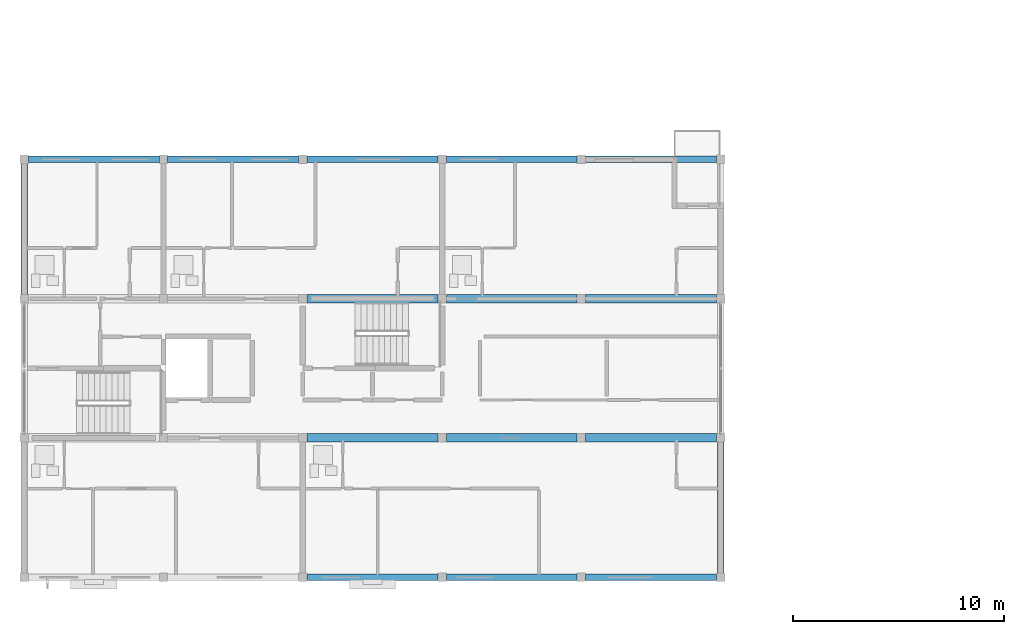
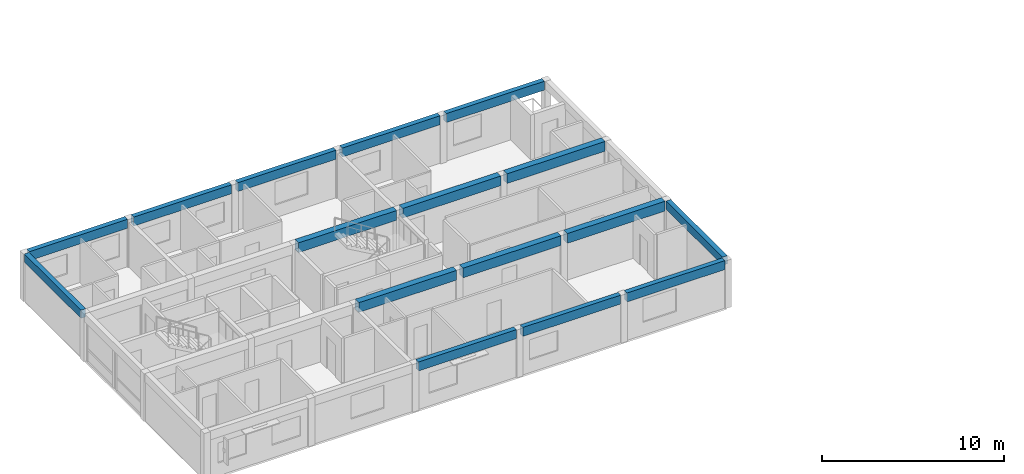
# One storey, part 5 of 15: 16 beams.
"""IFC4 building model written with IfcOpenShell, lengths in metres."""

import ifcopenshell
import ifcopenshell.guid

model = None  # the IFC model being written
_history = None  # IfcOwnerHistory: only IFC2X3 demands one
_inside = {}  # id of a spatial element -> (the spatial element, [elements in it])
_under = {}  # id of a project, library or spatial element -> (it, [spatial elements below it])
_declared = {}  # id of a project -> (the project, [libraries it declares])
_typed = {}  # id of a type object -> (the type object, [elements of that type])
_made_of = {}  # id of a material, layer set ... -> (it, [elements and type objects made of it])


def new_model(schema):
    """Start an empty IFC model of exactly this schema.

    Asked for "IFC4X3", IfcOpenShell would pick the latest addendum, in which some entities
    have other attributes; the version numbers below select the first issue.
    IFC2X3 requires an IfcOwnerHistory on every rooted entity: one is made here for all.
    """
    global model, _history
    if schema == "IFC4X3":
        model = ifcopenshell.file(schema_version=(4, 3, 0, 0))
    else:
        model = ifcopenshell.file(schema=schema)
    _inside.clear()
    _under.clear()
    _declared.clear()
    _typed.clear()
    _made_of.clear()
    _history = None
    if model.schema == "IFC2X3":
        org = make("IfcOrganization", Name="unknown")
        user = make(
            "IfcPersonAndOrganization",
            ThePerson=make("IfcPerson", FamilyName="unknown"),
            TheOrganization=org,
        )
        app = make(
            "IfcApplication",
            ApplicationDeveloper=org,
            Version="unknown",
            ApplicationFullName="unknown",
            ApplicationIdentifier="unknown",
        )
        _history = make(
            "IfcOwnerHistory",
            OwningUser=user,
            OwningApplication=app,
            ChangeAction="ADDED",
            CreationDate=0,
        )
    return model


def make(cls, **values):
    """One entity of the class cls with the attributes given. An attribute that is None is left unset."""
    return model.create_entity(
        cls, **{name: value for name, value in values.items() if value is not None}
    )


def rooted(cls, **values):
    """An entity with a GlobalId (a new one), such as an element, a storey or a relation."""
    return make(cls, GlobalId=ifcopenshell.guid.new(), OwnerHistory=_history, **values)


def si_unit(unit_type, name, prefix=None):
    """IfcSIUnit, for example si_unit("LENGTHUNIT", "METRE", prefix="MILLI")."""
    return make("IfcSIUnit", UnitType=unit_type, Prefix=prefix, Name=name)


def assignment(units):
    """IfcUnitAssignment: the units of a project."""
    return None if units is None else make("IfcUnitAssignment", Units=units)


def point(xyz):
    """IfcCartesianPoint."""
    return None if xyz is None else make("IfcCartesianPoint", Coordinates=xyz)


def direction(xyz):
    """IfcDirection."""
    return None if xyz is None else make("IfcDirection", DirectionRatios=xyz)


def frame(location, z_axis=None, x_axis=None):
    """IfcAxis2Placement3D, a coordinate frame: its origin and axes. An axis left out is left unset."""
    return make(
        "IfcAxis2Placement3D",
        Location=point(location),
        Axis=direction(z_axis),
        RefDirection=direction(x_axis),
    )


def frame_2d(location, x_axis=None):
    """IfcAxis2Placement2D, a coordinate frame in the plane: its origin and x axis."""
    return make(
        "IfcAxis2Placement2D", Location=point(location), RefDirection=direction(x_axis)
    )


def origin():
    """The frame at (0, 0, 0) with its axes left unset."""
    return frame((0.0, 0.0, 0.0))


def origin_2d():
    """The frame at (0, 0) in the plane with its x axis left unset."""
    return frame_2d((0.0, 0.0))


def place(relative_to, where):
    """IfcLocalPlacement: puts the frame where relative to a parent placement (None: the world)."""
    return make(
        "IfcLocalPlacement", PlacementRelTo=relative_to, RelativePlacement=where
    )


def context(
    kind, dimensions, precision=None, world=None, true_north=None, identifier=None
):
    """IfcGeometricRepresentationContext, for example the 3D "Model" context."""
    return make(
        "IfcGeometricRepresentationContext",
        ContextIdentifier=identifier,
        ContextType=kind,
        CoordinateSpaceDimension=dimensions,
        Precision=precision,
        WorldCoordinateSystem=world,
        TrueNorth=true_north,
    )


def subcontext(parent, identifier, kind, view, scale=None):
    """IfcGeometricRepresentationSubContext, for example "Body" below "Model"."""
    return make(
        "IfcGeometricRepresentationSubContext",
        ContextIdentifier=identifier,
        ContextType=kind,
        ParentContext=parent,
        TargetScale=scale,
        TargetView=view,
    )


def project(units=None, contexts=None):
    """IfcProject with its units and contexts."""
    return rooted(
        "IfcProject",
        Name="project",
        RepresentationContexts=contexts,
        UnitsInContext=assignment(units),
    )


def spatial(cls, under=None, at=None, **own):
    """A site, building, storey or space (cls), placed at a placement, below another one or the project."""
    s = rooted(cls, ObjectPlacement=at, **own)
    if under is not None:
        _under.setdefault(under.id(), (under, []))[1].append(s)
    return s


def profile(cls, at=None, kind="AREA", **sizes):
    """A parametric profile (cls). Its sizes go by their IFC names, for example OverallWidth=200.0."""
    return make(cls, ProfileType=kind, Position=at, **sizes)


def rectangle(**sizes):
    """IfcRectangleProfileDef."""
    return profile("IfcRectangleProfileDef", **sizes)


def extrude(swept, where, along, depth):
    """IfcExtrudedAreaSolid: the profile swept, set in the frame where, extruded along a direction by depth."""
    return make(
        "IfcExtrudedAreaSolid",
        SweptArea=swept,
        Position=where,
        ExtrudedDirection=direction(along),
        Depth=depth,
    )


def shape(context_of_items, identifier, shape_type, items):
    """IfcShapeRepresentation: the items that make up one representation, for example the "Body"."""
    return make(
        "IfcShapeRepresentation",
        ContextOfItems=context_of_items,
        RepresentationIdentifier=identifier,
        RepresentationType=shape_type,
        Items=items,
    )


def material(Name=None, Category=None):
    """IfcMaterial."""
    return make("IfcMaterial", Name=Name, Category=Category)


def material_profile(
    of_material, cross_section, Name=None, Category=None, Priority=None
):
    """IfcMaterialProfile: a cross section and its material."""
    return make(
        "IfcMaterialProfile",
        Name=Name,
        Material=of_material,
        Profile=cross_section,
        Priority=Priority,
        Category=Category,
    )


def profile_set(profiles, Name=None, composite=None):
    """IfcMaterialProfileSet."""
    return make(
        "IfcMaterialProfileSet",
        Name=Name,
        MaterialProfiles=profiles,
        CompositeProfile=composite,
    )


def made_of(thing, what):
    """Note that an element or type object is made of a material, layer set ...; save() writes the relation."""
    if what is not None:
        _made_of.setdefault(what.id(), (what, []))[1].append(thing)
    return thing


def type_object(cls, material=None, **own):
    """A type object (cls), such as IfcWallType, which elements share."""
    return made_of(rooted(cls, **own), material)


def element(
    cls,
    number,
    at=None,
    inside=None,
    cuts=None,
    type_object=None,
    material=None,
    context=None,
    identifier="Body",
    shape_type=None,
    held_by="IfcProductDefinitionShape",
    body=None,
    shapes=None,
    **own,
):
    """One element of the class cls, such as IfcWall. Its Tag is "e" and its number.

    at: its placement. inside: the storey or other place that contains it. cuts: it is an
    opening in that element (IfcRelVoidsElement). A single representation is given by context,
    identifier, shape_type and body (its items); several are given by shapes. held_by: the class
    of the entity that holds the representations. save() writes the other relations.
    """
    e = rooted(cls, Tag="e%d" % number, ObjectPlacement=at, **own)
    if body is not None:
        shapes = [shape(context, identifier, shape_type, body)]
    if shapes is not None:
        e.Representation = make(held_by, Representations=shapes)
    if inside is not None:
        _inside.setdefault(inside.id(), (inside, []))[1].append(e)
    if cuts is not None:
        rooted(
            "IfcRelVoidsElement", RelatingBuildingElement=cuts, RelatedOpeningElement=e
        )
    if type_object is not None:
        _typed.setdefault(type_object.id(), (type_object, []))[1].append(e)
    return made_of(e, material)


def aggregate(whole, parts):
    """IfcRelAggregates: a whole, such as a stair, and the parts it consists of."""
    return rooted("IfcRelAggregates", RelatingObject=whole, RelatedObjects=parts)


def save(model, path):
    """Write the relations noted so far, then the file.

    IfcRelAggregates (storeys below a building ...), IfcRelContainedInSpatialStructure (elements
    in a storey), IfcRelDefinesByType, IfcRelAssociatesMaterial and IfcRelDeclares: one each for
    every whole, place, type object, material and project.
    """
    for whole, parts in _under.values():
        aggregate(whole, parts)
    for where, things in _inside.values():
        rooted(
            "IfcRelContainedInSpatialStructure",
            RelatedElements=things,
            RelatingStructure=where,
        )
    for kind, things in _typed.values():
        rooted("IfcRelDefinesByType", RelatedObjects=things, RelatingType=kind)
    for what, things in _made_of.values():
        rooted("IfcRelAssociatesMaterial", RelatedObjects=things, RelatingMaterial=what)
    for by, libraries in _declared.values():
        rooted("IfcRelDeclares", RelatingContext=by, RelatedDefinitions=libraries)
    model.write(path)


model = new_model("IFC4")

# Units and contexts
model_context = context("Model", 3, precision=1e-05, world=origin(), true_north=direction((0.0, 1.0)))
body_context = subcontext(model_context, "Body", "Model", "MODEL_VIEW")
ifc_project = project(units=[si_unit("LENGTHUNIT", "METRE"), si_unit("AREAUNIT", "SQUARE_METRE"), si_unit("VOLUMEUNIT", "CUBIC_METRE"), si_unit("PLANEANGLEUNIT", "RADIAN"), si_unit("MASSUNIT", "GRAM", prefix="KILO")], contexts=[model_context])

# Site, building, storey
site_placement = place(None, origin())
site = spatial("IfcSite", under=ifc_project, at=site_placement, CompositionType="ELEMENT")
building_placement = place(site_placement, origin())
building = spatial("IfcBuilding", under=site, at=building_placement, Name="Kernevlak Ridge Housing Community", CompositionType="ELEMENT")
storey_placement = place(building_placement, frame((0.0, 0.0, 50.0)))
storey = spatial("IfcBuildingStorey", under=building, at=storey_placement, Name="L15", CompositionType="ELEMENT", Elevation=50.0)

# Beams
ifc_material = material(Name="Concrete C35/45", Category="concrete")
ifc_material_profile_1 = material_profile(ifc_material, rectangle(XDim=0.39990234375, YDim=0.64990234375, at=origin_2d()), Name="RC 400x650")
ifc_profile_set_1 = profile_set([ifc_material_profile_1], Name="Concrete C35/45")
beam_type_1 = type_object("IfcBeamType", Name="B-03", PredefinedType="T_BEAM", material=ifc_profile_set_1)
for number, where, z_axis, x_axis, name in (
    (1, (29.0, 82.60009765625, 2.875), (1.0, 0.0, 0.0), (0.0, 1.0, 0.0), "Beam B-03 L15 454"),
    (2, (35.60009765625, 82.60009765625, 2.875), (1.0, 0.0, 0.0), (0.0, 1.0, 0.0), "Beam B-03 L15 455"),
    (3, (42.199951171875, 82.60009765625, 2.875), (1.0, 0.0, 0.0), (0.0, 1.0, 0.0), "Beam B-03 L15 456"),
    (4, (29.0, 89.199951171875, 2.875), (1.0, 0.0, 0.0), (0.0, 1.0, 0.0), "Beam B-03 L15 459"),
    (5, (35.60009765625, 89.199951171875, 2.875), (1.0, 0.0, 0.0), (0.0, 1.0, 0.0), "Beam B-03 L15 460"),
    (6, (42.199951171875, 89.199951171875, 2.875), (1.0, 0.0, 0.0), (0.0, 1.0, 0.0), "Beam B-03 L15 461"),
):
    element("IfcBeam", number, at=place(storey_placement, frame(where, z_axis=z_axis, x_axis=x_axis)), inside=storey, type_object=beam_type_1, Name=name, PredefinedType="T_BEAM", context=body_context, shape_type="SweptSolid", body=[
        extrude(rectangle(XDim=0.39990234375, YDim=0.64990234375, at=origin_2d()), origin(), (0.0, 0.0, 1.0), 6.199951171875),
    ])
ifc_material_profile_2 = material_profile(ifc_material, rectangle(XDim=0.300048828125, YDim=0.550048828125, at=origin_2d()), Name="RC 300x550")
ifc_profile_set_2 = profile_set([ifc_material_profile_2], Name="Concrete C35/45")
beam_type_2 = type_object("IfcBeamType", Name="SP-01", PredefinedType="SPANDREL", material=ifc_profile_set_2)
beam_1_placement = place(storey_placement, frame((15.60009765625, 89.39990234375, 2.925048828125), z_axis=(0.0, 1.0, 0.0), x_axis=(-1.0, 0.0, 0.0)))
element("IfcBeam", 7, at=beam_1_placement, inside=storey, type_object=beam_type_2, Name="Beam SP-01 L15 469", PredefinedType="SPANDREL", context=body_context, shape_type="SweptSolid", body=[
    extrude(rectangle(XDim=0.300048828125, YDim=0.550048828125, at=origin_2d()), origin(), (0.0, 0.0, 1.0), 6.2001953125),
])
beam_2_placement = place(storey_placement, frame((48.60009765625, 76.199951171875, 2.925048828125), z_axis=(0.0, 1.0, 0.0), x_axis=(-1.0, 0.0, 0.0)))
element("IfcBeam", 8, at=beam_2_placement, inside=storey, type_object=beam_type_2, Name="Beam SP-01 L15 470", PredefinedType="SPANDREL", context=body_context, shape_type="SweptSolid", body=[
    extrude(rectangle(XDim=0.300048828125, YDim=0.550048828125, at=origin_2d()), origin(), (0.0, 0.0, 1.0), 6.199951171875),
])
ifc_material_profile_3 = material_profile(ifc_material, rectangle(XDim=0.300048828125, YDim=0.60009765625, at=origin_2d()), Name="RC 300x600")
ifc_profile_set_3 = profile_set([ifc_material_profile_3], Name="Concrete C35/45")
beam_type_3 = type_object("IfcBeamType", Name="SP-02", PredefinedType="SPANDREL", material=ifc_profile_set_3)
for number, where, z_axis, x_axis, name in (
    (9, (29.0, 76.0, 2.89990234375), (1.0, 0.0, 0.0), (0.0, 1.0, 0.0), "Beam SP-02 L15 449"),
    (10, (35.60009765625, 76.0, 2.89990234375), (1.0, 0.0, 0.0), (0.0, 1.0, 0.0), "Beam SP-02 L15 450"),
    (11, (42.199951171875, 76.0, 2.89990234375), (1.0, 0.0, 0.0), (0.0, 1.0, 0.0), "Beam SP-02 L15 451"),
    (12, (15.800048828125, 95.800048828125, 2.89990234375), (1.0, 0.0, 0.0), (0.0, 1.0, 0.0), "Beam SP-02 L15 462"),
):
    element("IfcBeam", number, at=place(storey_placement, frame(where, z_axis=z_axis, x_axis=x_axis)), inside=storey, type_object=beam_type_3, Name=name, PredefinedType="SPANDREL", context=body_context, shape_type="SweptSolid", body=[
        extrude(rectangle(XDim=0.300048828125, YDim=0.60009765625, at=origin_2d()), origin(), (0.0, 0.0, 1.0), 6.199951171875),
    ])
beam_3_placement = place(storey_placement, frame((22.39990234375, 95.800048828125, 2.89990234375), z_axis=(1.0, 0.0, 0.0), x_axis=(0.0, 1.0, 0.0)))
element("IfcBeam", 13, at=beam_3_placement, inside=storey, type_object=beam_type_3, Name="Beam SP-02 L15 463", PredefinedType="SPANDREL", context=body_context, shape_type="SweptSolid", body=[
    extrude(rectangle(XDim=0.300048828125, YDim=0.60009765625, at=origin_2d()), origin(), (0.0, 0.0, 1.0), 6.2001953125),
])
for number, where, z_axis, x_axis, name in (
    (14, (29.0, 95.800048828125, 2.89990234375), (1.0, 0.0, 0.0), (0.0, 1.0, 0.0), "Beam SP-02 L15 464"),
    (15, (35.60009765625, 95.800048828125, 2.89990234375), (1.0, 0.0, 0.0), (0.0, 1.0, 0.0), "Beam SP-02 L15 465"),
    (16, (42.199951171875, 95.800048828125, 2.89990234375), (1.0, 0.0, 0.0), (0.0, 1.0, 0.0), "Beam SP-02 L15 466"),
):
    element("IfcBeam", number, at=place(storey_placement, frame(where, z_axis=z_axis, x_axis=x_axis)), inside=storey, type_object=beam_type_3, Name=name, PredefinedType="SPANDREL", context=body_context, shape_type="SweptSolid", body=[
        extrude(rectangle(XDim=0.300048828125, YDim=0.60009765625, at=origin_2d()), origin(), (0.0, 0.0, 1.0), 6.199951171875),
    ])

save(model, "model.ifc")
